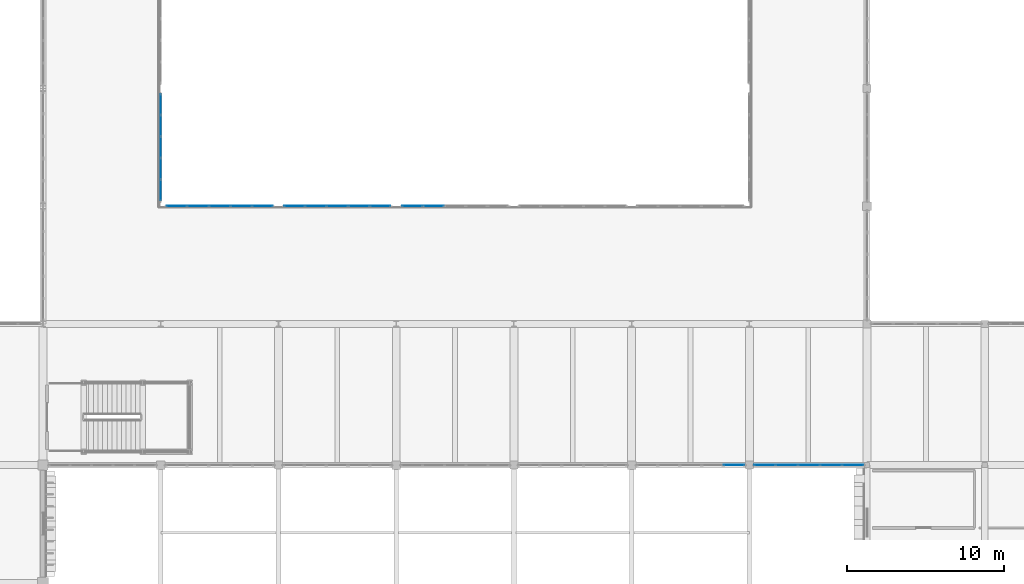
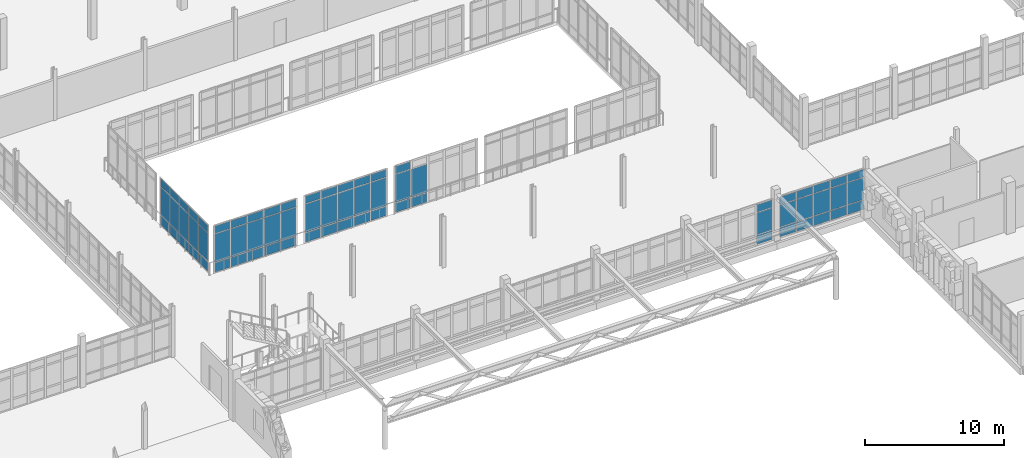
# One storey, part 77 of 128: 68 plates, 6 elements without a shape of their own.
"""IFC4 building model written with IfcOpenShell, lengths in metres."""

from ifc_helpers import new_model, si_unit, direction, frame, origin, origin_2d, place, context, subcontext, project, spatial, rectangle, extrude, material, layer, layer_set, type_object, element, aggregate, save


model = new_model("IFC4")

# Units and contexts
model_context = context("Model", 3, precision=1e-05, world=origin(), true_north=direction((0.0, 1.0)))
body_context = subcontext(model_context, "Body", "Model", "MODEL_VIEW")
ifc_project = project(units=[si_unit("LENGTHUNIT", "METRE"), si_unit("AREAUNIT", "SQUARE_METRE"), si_unit("VOLUMEUNIT", "CUBIC_METRE"), si_unit("PLANEANGLEUNIT", "RADIAN"), si_unit("MASSUNIT", "GRAM", prefix="KILO")], contexts=[model_context])

# Site, building, storey
site_placement = place(None, origin())
site = spatial("IfcSite", under=ifc_project, at=site_placement, CompositionType="ELEMENT")
building_placement = place(site_placement, origin())
building = spatial("IfcBuilding", under=site, at=building_placement, Name="Dalvernix Boulevard General Hospital", CompositionType="ELEMENT")
storey_placement = place(building_placement, frame((0.0, 0.0, 4.800048828125)))
storey = spatial("IfcBuildingStorey", under=building, at=storey_placement, Name="L01", CompositionType="ELEMENT", Elevation=4.800048828125)

# Curtain wall, plates
ifc_material_1 = material(Name="Thermally broken aluminium and solar-control glass curtain wall", Category="aluminium")
ifc_layer_1 = layer(ifc_material_1, 0.159912109375)
ifc_layer_set_1 = layer_set([ifc_layer_1], Name="Thermally broken aluminium and solar-control glass curtain wall (CW-CW-A-69x42)")
curtain_wall_type_1 = type_object("IfcCurtainWallType", Name="CW-CW-A-69x42", PredefinedType="USERDEFINED", material=ifc_layer_set_1)
curtain_wall_1_placement = place(storey_placement, origin())
curtain_wall_1 = element("IfcCurtainWall", 1, at=curtain_wall_1_placement, inside=storey, type_object=curtain_wall_type_1, Name="L01 curtain wall CW-A-69x42 9-5", ObjectType="GLAZED FACADE", PredefinedType="USERDEFINED")
ifc_material_2 = material(Name="Double-glazed solar-control low-emissivity glass", Category="glass")
ifc_layer_2 = layer(ifc_material_2, 0.02392578125)
ifc_layer_set_2 = layer_set([ifc_layer_2], Name="Double-glazed solar-control low-emissivity glass (PLT-CW-P1)")
plate_type_1 = type_object("IfcPlateType", Name="PLT-CW-P1", PredefinedType="CURTAIN_PANEL", material=ifc_layer_set_2)
plate_1_placement = place(storey_placement, frame((67.5, 45.487060546875, 0.059814453125), z_axis=(0.0, 0.0, 1.0), x_axis=(0.0, -1.0, 0.0)))
plate_1 = element("IfcPlate", 2, at=plate_1_placement, type_object=plate_type_1, Name="CW-A-69x42 panel 1.1", PredefinedType="CURTAIN_PANEL", context=body_context, shape_type="SweptSolid", body=[
    extrude(rectangle(XDim=1.285888671875, YDim=0.02392578125, at=origin_2d()), origin(), (0.0, 0.0, 1.0), 0.81005859375),
])
plate_2_placement = place(storey_placement, frame((67.5, 45.487060546875, 0.93017578125), z_axis=(0.0, 0.0, 1.0), x_axis=(0.0, -1.0, 0.0)))
plate_2 = element("IfcPlate", 3, at=plate_2_placement, type_object=plate_type_1, Name="CW-A-69x42 panel 1.2", PredefinedType="CURTAIN_PANEL", context=body_context, shape_type="SweptSolid", body=[
    extrude(rectangle(XDim=1.285888671875, YDim=0.02392578125, at=origin_2d()), origin(), (0.0, 0.0, 1.0), 2.469970703125),
])
plate_3_placement = place(storey_placement, frame((67.5, 45.487060546875, 3.4599609375), z_axis=(0.0, 0.0, 1.0), x_axis=(0.0, -1.0, 0.0)))
plate_3 = element("IfcPlate", 4, at=plate_3_placement, type_object=plate_type_1, Name="CW-A-69x42 panel 1.3", PredefinedType="CURTAIN_PANEL", context=body_context, shape_type="SweptSolid", body=[
    extrude(rectangle(XDim=1.285888671875, YDim=0.02392578125, at=origin_2d()), origin(), (0.0, 0.0, 1.0), 0.659912109375),
])
plate_4_placement = place(storey_placement, frame((67.5, 44.1259765625, 0.059814453125), z_axis=(0.0, 0.0, 1.0), x_axis=(0.0, -1.0, 0.0)))
plate_4 = element("IfcPlate", 5, at=plate_4_placement, type_object=plate_type_1, Name="CW-A-69x42 panel 2.1", PredefinedType="CURTAIN_PANEL", context=body_context, shape_type="SweptSolid", body=[
    extrude(rectangle(XDim=1.31591796875, YDim=0.02392578125, at=origin_2d()), origin(), (0.0, 0.0, 1.0), 0.81005859375),
])
plate_5_placement = place(storey_placement, frame((67.5, 44.1259765625, 0.93017578125), z_axis=(0.0, 0.0, 1.0), x_axis=(0.0, -1.0, 0.0)))
plate_5 = element("IfcPlate", 6, at=plate_5_placement, type_object=plate_type_1, Name="CW-A-69x42 panel 2.2", PredefinedType="CURTAIN_PANEL", context=body_context, shape_type="SweptSolid", body=[
    extrude(rectangle(XDim=1.31591796875, YDim=0.02392578125, at=origin_2d()), origin(), (0.0, 0.0, 1.0), 2.469970703125),
])
plate_6_placement = place(storey_placement, frame((67.5, 44.1259765625, 3.4599609375), z_axis=(0.0, 0.0, 1.0), x_axis=(0.0, -1.0, 0.0)))
plate_6 = element("IfcPlate", 7, at=plate_6_placement, type_object=plate_type_1, Name="CW-A-69x42 panel 2.3", PredefinedType="CURTAIN_PANEL", context=body_context, shape_type="SweptSolid", body=[
    extrude(rectangle(XDim=1.31591796875, YDim=0.02392578125, at=origin_2d()), origin(), (0.0, 0.0, 1.0), 0.659912109375),
])
plate_7_placement = place(storey_placement, frame((67.5, 42.75, 0.059814453125), z_axis=(0.0, 0.0, 1.0), x_axis=(0.0, -1.0, 0.0)))
plate_7 = element("IfcPlate", 8, at=plate_7_placement, type_object=plate_type_1, Name="CW-A-69x42 panel 3.1", PredefinedType="CURTAIN_PANEL", context=body_context, shape_type="SweptSolid", body=[
    extrude(rectangle(XDim=1.31591796875, YDim=0.02392578125, at=origin_2d()), origin(), (0.0, 0.0, 1.0), 0.81005859375),
])
plate_8_placement = place(storey_placement, frame((67.5, 42.75, 0.93017578125), z_axis=(0.0, 0.0, 1.0), x_axis=(0.0, -1.0, 0.0)))
plate_8 = element("IfcPlate", 9, at=plate_8_placement, type_object=plate_type_1, Name="CW-A-69x42 panel 3.2", PredefinedType="CURTAIN_PANEL", context=body_context, shape_type="SweptSolid", body=[
    extrude(rectangle(XDim=1.31591796875, YDim=0.02392578125, at=origin_2d()), origin(), (0.0, 0.0, 1.0), 2.469970703125),
])
plate_9_placement = place(storey_placement, frame((67.5, 42.75, 3.4599609375), z_axis=(0.0, 0.0, 1.0), x_axis=(0.0, -1.0, 0.0)))
plate_9 = element("IfcPlate", 10, at=plate_9_placement, type_object=plate_type_1, Name="CW-A-69x42 panel 3.3", PredefinedType="CURTAIN_PANEL", context=body_context, shape_type="SweptSolid", body=[
    extrude(rectangle(XDim=1.31591796875, YDim=0.02392578125, at=origin_2d()), origin(), (0.0, 0.0, 1.0), 0.659912109375),
])
plate_10_placement = place(storey_placement, frame((67.5, 41.3740234375, 0.059814453125), z_axis=(0.0, 0.0, 1.0), x_axis=(0.0, -1.0, 0.0)))
plate_10 = element("IfcPlate", 11, at=plate_10_placement, type_object=plate_type_1, Name="CW-A-69x42 panel 4.1", PredefinedType="CURTAIN_PANEL", context=body_context, shape_type="SweptSolid", body=[
    extrude(rectangle(XDim=1.31591796875, YDim=0.02392578125, at=origin_2d()), origin(), (0.0, 0.0, 1.0), 0.81005859375),
])
plate_11_placement = place(storey_placement, frame((67.5, 41.3740234375, 0.93017578125), z_axis=(0.0, 0.0, 1.0), x_axis=(0.0, -1.0, 0.0)))
plate_11 = element("IfcPlate", 12, at=plate_11_placement, type_object=plate_type_1, Name="CW-A-69x42 panel 4.2", PredefinedType="CURTAIN_PANEL", context=body_context, shape_type="SweptSolid", body=[
    extrude(rectangle(XDim=1.31591796875, YDim=0.02392578125, at=origin_2d()), origin(), (0.0, 0.0, 1.0), 2.469970703125),
])
plate_12_placement = place(storey_placement, frame((67.5, 41.3740234375, 3.4599609375), z_axis=(0.0, 0.0, 1.0), x_axis=(0.0, -1.0, 0.0)))
plate_12 = element("IfcPlate", 13, at=plate_12_placement, type_object=plate_type_1, Name="CW-A-69x42 panel 4.3", PredefinedType="CURTAIN_PANEL", context=body_context, shape_type="SweptSolid", body=[
    extrude(rectangle(XDim=1.31591796875, YDim=0.02392578125, at=origin_2d()), origin(), (0.0, 0.0, 1.0), 0.659912109375),
])
plate_13_placement = place(storey_placement, frame((67.5, 40.012939453125, 0.059814453125), z_axis=(0.0, 0.0, 1.0), x_axis=(0.0, -1.0, 0.0)))
plate_13 = element("IfcPlate", 14, at=plate_13_placement, type_object=plate_type_1, Name="CW-A-69x42 panel 5.1", PredefinedType="CURTAIN_PANEL", context=body_context, shape_type="SweptSolid", body=[
    extrude(rectangle(XDim=1.285888671875, YDim=0.02392578125, at=origin_2d()), origin(), (0.0, 0.0, 1.0), 0.81005859375),
])
plate_14_placement = place(storey_placement, frame((67.5, 40.012939453125, 0.93017578125), z_axis=(0.0, 0.0, 1.0), x_axis=(0.0, -1.0, 0.0)))
plate_14 = element("IfcPlate", 15, at=plate_14_placement, type_object=plate_type_1, Name="CW-A-69x42 panel 5.2", PredefinedType="CURTAIN_PANEL", context=body_context, shape_type="SweptSolid", body=[
    extrude(rectangle(XDim=1.285888671875, YDim=0.02392578125, at=origin_2d()), origin(), (0.0, 0.0, 1.0), 2.469970703125),
])
plate_15_placement = place(storey_placement, frame((67.5, 40.012939453125, 3.4599609375), z_axis=(0.0, 0.0, 1.0), x_axis=(0.0, -1.0, 0.0)))
plate_15 = element("IfcPlate", 16, at=plate_15_placement, type_object=plate_type_1, Name="CW-A-69x42 panel 5.3", PredefinedType="CURTAIN_PANEL", context=body_context, shape_type="SweptSolid", body=[
    extrude(rectangle(XDim=1.285888671875, YDim=0.02392578125, at=origin_2d()), origin(), (0.0, 0.0, 1.0), 0.659912109375),
])
aggregate(curtain_wall_1, [plate_1, plate_2, plate_3, plate_4, plate_5, plate_6, plate_7, plate_8, plate_9, plate_10, plate_11, plate_12, plate_13, plate_14, plate_15])

curtain_wall_2_placement = place(storey_placement, origin())
curtain_wall_2 = element("IfcCurtainWall", 17, at=curtain_wall_2_placement, inside=storey, type_object=curtain_wall_type_1, Name="L01 curtain wall CW-A-69x42 9-5", ObjectType="GLAZED FACADE", PredefinedType="USERDEFINED")
plate_16_placement = place(storey_placement, frame((68.512939453125, 39.0, 0.059814453125), z_axis=(0.0, 0.0, 1.0), x_axis=(1.0, 0.0, 0.0)))
plate_16 = element("IfcPlate", 18, at=plate_16_placement, type_object=plate_type_1, Name="CW-A-69x42 panel 1.1", PredefinedType="CURTAIN_PANEL", context=body_context, shape_type="SweptSolid", body=[
    extrude(rectangle(XDim=1.285888671875, YDim=0.02392578125, at=origin_2d()), origin(), (0.0, 0.0, 1.0), 0.81005859375),
])
plate_17_placement = place(storey_placement, frame((68.512939453125, 39.0, 0.93017578125), z_axis=(0.0, 0.0, 1.0), x_axis=(1.0, 0.0, 0.0)))
plate_17 = element("IfcPlate", 19, at=plate_17_placement, type_object=plate_type_1, Name="CW-A-69x42 panel 1.2", PredefinedType="CURTAIN_PANEL", context=body_context, shape_type="SweptSolid", body=[
    extrude(rectangle(XDim=1.285888671875, YDim=0.02392578125, at=origin_2d()), origin(), (0.0, 0.0, 1.0), 2.469970703125),
])
plate_18_placement = place(storey_placement, frame((68.512939453125, 39.0, 3.4599609375), z_axis=(0.0, 0.0, 1.0), x_axis=(1.0, 0.0, 0.0)))
plate_18 = element("IfcPlate", 20, at=plate_18_placement, type_object=plate_type_1, Name="CW-A-69x42 panel 1.3", PredefinedType="CURTAIN_PANEL", context=body_context, shape_type="SweptSolid", body=[
    extrude(rectangle(XDim=1.285888671875, YDim=0.02392578125, at=origin_2d()), origin(), (0.0, 0.0, 1.0), 0.659912109375),
])
plate_19_placement = place(storey_placement, frame((69.8740234375, 39.0, 0.059814453125), z_axis=(0.0, 0.0, 1.0), x_axis=(1.0, 0.0, 0.0)))
plate_19 = element("IfcPlate", 21, at=plate_19_placement, type_object=plate_type_1, Name="CW-A-69x42 panel 2.1", PredefinedType="CURTAIN_PANEL", context=body_context, shape_type="SweptSolid", body=[
    extrude(rectangle(XDim=1.31591796875, YDim=0.02392578125, at=origin_2d()), origin(), (0.0, 0.0, 1.0), 0.81005859375),
])
plate_20_placement = place(storey_placement, frame((69.8740234375, 39.0, 0.93017578125), z_axis=(0.0, 0.0, 1.0), x_axis=(1.0, 0.0, 0.0)))
plate_20 = element("IfcPlate", 22, at=plate_20_placement, type_object=plate_type_1, Name="CW-A-69x42 panel 2.2", PredefinedType="CURTAIN_PANEL", context=body_context, shape_type="SweptSolid", body=[
    extrude(rectangle(XDim=1.31591796875, YDim=0.02392578125, at=origin_2d()), origin(), (0.0, 0.0, 1.0), 2.469970703125),
])
plate_21_placement = place(storey_placement, frame((69.8740234375, 39.0, 3.4599609375), z_axis=(0.0, 0.0, 1.0), x_axis=(1.0, 0.0, 0.0)))
plate_21 = element("IfcPlate", 23, at=plate_21_placement, type_object=plate_type_1, Name="CW-A-69x42 panel 2.3", PredefinedType="CURTAIN_PANEL", context=body_context, shape_type="SweptSolid", body=[
    extrude(rectangle(XDim=1.31591796875, YDim=0.02392578125, at=origin_2d()), origin(), (0.0, 0.0, 1.0), 0.659912109375),
])
plate_22_placement = place(storey_placement, frame((71.25, 39.0, 0.059814453125), z_axis=(0.0, 0.0, 1.0), x_axis=(1.0, 0.0, 0.0)))
plate_22 = element("IfcPlate", 24, at=plate_22_placement, type_object=plate_type_1, Name="CW-A-69x42 panel 3.1", PredefinedType="CURTAIN_PANEL", context=body_context, shape_type="SweptSolid", body=[
    extrude(rectangle(XDim=1.31591796875, YDim=0.02392578125, at=origin_2d()), origin(), (0.0, 0.0, 1.0), 0.81005859375),
])
plate_23_placement = place(storey_placement, frame((71.25, 39.0, 0.93017578125), z_axis=(0.0, 0.0, 1.0), x_axis=(1.0, 0.0, 0.0)))
plate_23 = element("IfcPlate", 25, at=plate_23_placement, type_object=plate_type_1, Name="CW-A-69x42 panel 3.2", PredefinedType="CURTAIN_PANEL", context=body_context, shape_type="SweptSolid", body=[
    extrude(rectangle(XDim=1.31591796875, YDim=0.02392578125, at=origin_2d()), origin(), (0.0, 0.0, 1.0), 2.469970703125),
])
plate_24_placement = place(storey_placement, frame((71.25, 39.0, 3.4599609375), z_axis=(0.0, 0.0, 1.0), x_axis=(1.0, 0.0, 0.0)))
plate_24 = element("IfcPlate", 26, at=plate_24_placement, type_object=plate_type_1, Name="CW-A-69x42 panel 3.3", PredefinedType="CURTAIN_PANEL", context=body_context, shape_type="SweptSolid", body=[
    extrude(rectangle(XDim=1.31591796875, YDim=0.02392578125, at=origin_2d()), origin(), (0.0, 0.0, 1.0), 0.659912109375),
])
plate_25_placement = place(storey_placement, frame((72.6259765625, 39.0, 0.059814453125), z_axis=(0.0, 0.0, 1.0), x_axis=(1.0, 0.0, 0.0)))
plate_25 = element("IfcPlate", 27, at=plate_25_placement, type_object=plate_type_1, Name="CW-A-69x42 panel 4.1", PredefinedType="CURTAIN_PANEL", context=body_context, shape_type="SweptSolid", body=[
    extrude(rectangle(XDim=1.31591796875, YDim=0.02392578125, at=origin_2d()), origin(), (0.0, 0.0, 1.0), 0.81005859375),
])
plate_26_placement = place(storey_placement, frame((72.6259765625, 39.0, 0.93017578125), z_axis=(0.0, 0.0, 1.0), x_axis=(1.0, 0.0, 0.0)))
plate_26 = element("IfcPlate", 28, at=plate_26_placement, type_object=plate_type_1, Name="CW-A-69x42 panel 4.2", PredefinedType="CURTAIN_PANEL", context=body_context, shape_type="SweptSolid", body=[
    extrude(rectangle(XDim=1.31591796875, YDim=0.02392578125, at=origin_2d()), origin(), (0.0, 0.0, 1.0), 2.469970703125),
])
plate_27_placement = place(storey_placement, frame((72.6259765625, 39.0, 3.4599609375), z_axis=(0.0, 0.0, 1.0), x_axis=(1.0, 0.0, 0.0)))
plate_27 = element("IfcPlate", 29, at=plate_27_placement, type_object=plate_type_1, Name="CW-A-69x42 panel 4.3", PredefinedType="CURTAIN_PANEL", context=body_context, shape_type="SweptSolid", body=[
    extrude(rectangle(XDim=1.31591796875, YDim=0.02392578125, at=origin_2d()), origin(), (0.0, 0.0, 1.0), 0.659912109375),
])
plate_28_placement = place(storey_placement, frame((73.987060546875, 39.0, 0.059814453125), z_axis=(0.0, 0.0, 1.0), x_axis=(1.0, 0.0, 0.0)))
plate_28 = element("IfcPlate", 30, at=plate_28_placement, type_object=plate_type_1, Name="CW-A-69x42 panel 5.1", PredefinedType="CURTAIN_PANEL", context=body_context, shape_type="SweptSolid", body=[
    extrude(rectangle(XDim=1.285888671875, YDim=0.02392578125, at=origin_2d()), origin(), (0.0, 0.0, 1.0), 0.81005859375),
])
plate_29_placement = place(storey_placement, frame((73.987060546875, 39.0, 0.93017578125), z_axis=(0.0, 0.0, 1.0), x_axis=(1.0, 0.0, 0.0)))
plate_29 = element("IfcPlate", 31, at=plate_29_placement, type_object=plate_type_1, Name="CW-A-69x42 panel 5.2", PredefinedType="CURTAIN_PANEL", context=body_context, shape_type="SweptSolid", body=[
    extrude(rectangle(XDim=1.285888671875, YDim=0.02392578125, at=origin_2d()), origin(), (0.0, 0.0, 1.0), 2.469970703125),
])
plate_30_placement = place(storey_placement, frame((73.987060546875, 39.0, 3.4599609375), z_axis=(0.0, 0.0, 1.0), x_axis=(1.0, 0.0, 0.0)))
plate_30 = element("IfcPlate", 32, at=plate_30_placement, type_object=plate_type_1, Name="CW-A-69x42 panel 5.3", PredefinedType="CURTAIN_PANEL", context=body_context, shape_type="SweptSolid", body=[
    extrude(rectangle(XDim=1.285888671875, YDim=0.02392578125, at=origin_2d()), origin(), (0.0, 0.0, 1.0), 0.659912109375),
])
aggregate(curtain_wall_2, [plate_16, plate_17, plate_18, plate_19, plate_20, plate_21, plate_22, plate_23, plate_24, plate_25, plate_26, plate_27, plate_28, plate_29, plate_30])

ifc_layer_3 = layer(ifc_material_1, 0.159912109375)
ifc_layer_set_3 = layer_set([ifc_layer_3], Name="Thermally broken aluminium and solar-control glass curtain wall (CW-CW-A-71x36)")
curtain_wall_type_2 = type_object("IfcCurtainWallType", Name="CW-CW-A-71x36", PredefinedType="USERDEFINED", material=ifc_layer_set_3)
curtain_wall_3_placement = place(storey_placement, origin())
curtain_wall_3 = element("IfcCurtainWall", 33, at=curtain_wall_3_placement, inside=storey, type_object=curtain_wall_type_2, Name="L01 curtain wall CW-A-71x36 14-3", ObjectType="GLAZED FACADE", PredefinedType="USERDEFINED")
plate_31_placement = place(storey_placement, frame((111.60791015625, 22.5, 0.059814453125), z_axis=(0.0, 0.0, 1.0), x_axis=(-1.0, 0.0, 0.0)))
plate_31 = element("IfcPlate", 34, at=plate_31_placement, type_object=plate_type_1, Name="CW-A-71x36 panel 1.1", PredefinedType="CURTAIN_PANEL", context=body_context, shape_type="SweptSolid", body=[
    extrude(rectangle(XDim=1.323974609375, YDim=0.02392578125, at=origin_2d()), origin(), (0.0, 0.0, 1.0), 0.81005859375),
])
plate_32_placement = place(storey_placement, frame((111.60791015625, 22.5, 0.929931640625), z_axis=(0.0, 0.0, 1.0), x_axis=(-1.0, 0.0, 0.0)))
plate_32 = element("IfcPlate", 35, at=plate_32_placement, type_object=plate_type_1, Name="CW-A-71x36 panel 1.2", PredefinedType="CURTAIN_PANEL", context=body_context, shape_type="SweptSolid", body=[
    extrude(rectangle(XDim=1.323974609375, YDim=0.02392578125, at=origin_2d()), origin(), (0.0, 0.0, 1.0), 1.919921875),
])
plate_33_placement = place(storey_placement, frame((111.60791015625, 22.5, 2.91015625), z_axis=(0.0, 0.0, 1.0), x_axis=(-1.0, 0.0, 0.0)))
plate_33 = element("IfcPlate", 36, at=plate_33_placement, type_object=plate_type_1, Name="CW-A-71x36 panel 1.3", PredefinedType="CURTAIN_PANEL", context=body_context, shape_type="SweptSolid", body=[
    extrude(rectangle(XDim=1.323974609375, YDim=0.02392578125, at=origin_2d()), origin(), (0.0, 0.0, 1.0), 0.659912109375),
])
plate_34_placement = place(storey_placement, frame((110.208984375, 22.5, 0.059814453125), z_axis=(0.0, 0.0, 1.0), x_axis=(-1.0, 0.0, 0.0)))
plate_34 = element("IfcPlate", 37, at=plate_34_placement, type_object=plate_type_1, Name="CW-A-71x36 panel 2.1", PredefinedType="CURTAIN_PANEL", context=body_context, shape_type="SweptSolid", body=[
    extrude(rectangle(XDim=1.35400390625, YDim=0.02392578125, at=origin_2d()), origin(), (0.0, 0.0, 1.0), 0.81005859375),
])
plate_35_placement = place(storey_placement, frame((110.208984375, 22.5, 0.929931640625), z_axis=(0.0, 0.0, 1.0), x_axis=(-1.0, 0.0, 0.0)))
plate_35 = element("IfcPlate", 38, at=plate_35_placement, type_object=plate_type_1, Name="CW-A-71x36 panel 2.2", PredefinedType="CURTAIN_PANEL", context=body_context, shape_type="SweptSolid", body=[
    extrude(rectangle(XDim=1.35400390625, YDim=0.02392578125, at=origin_2d()), origin(), (0.0, 0.0, 1.0), 1.919921875),
])
plate_36_placement = place(storey_placement, frame((110.208984375, 22.5, 2.91015625), z_axis=(0.0, 0.0, 1.0), x_axis=(-1.0, 0.0, 0.0)))
plate_36 = element("IfcPlate", 39, at=plate_36_placement, type_object=plate_type_1, Name="CW-A-71x36 panel 2.3", PredefinedType="CURTAIN_PANEL", context=body_context, shape_type="SweptSolid", body=[
    extrude(rectangle(XDim=1.35400390625, YDim=0.02392578125, at=origin_2d()), origin(), (0.0, 0.0, 1.0), 0.659912109375),
])
plate_37_placement = place(storey_placement, frame((108.794921875, 22.5, 0.059814453125), z_axis=(0.0, 0.0, 1.0), x_axis=(-1.0, 0.0, 0.0)))
plate_37 = element("IfcPlate", 40, at=plate_37_placement, type_object=plate_type_1, Name="CW-A-71x36 panel 3.1", PredefinedType="CURTAIN_PANEL", context=body_context, shape_type="SweptSolid", body=[
    extrude(rectangle(XDim=1.35400390625, YDim=0.02392578125, at=origin_2d()), origin(), (0.0, 0.0, 1.0), 0.81005859375),
])
plate_38_placement = place(storey_placement, frame((108.794921875, 22.5, 0.929931640625), z_axis=(0.0, 0.0, 1.0), x_axis=(-1.0, 0.0, 0.0)))
plate_38 = element("IfcPlate", 41, at=plate_38_placement, type_object=plate_type_1, Name="CW-A-71x36 panel 3.2", PredefinedType="CURTAIN_PANEL", context=body_context, shape_type="SweptSolid", body=[
    extrude(rectangle(XDim=1.35400390625, YDim=0.02392578125, at=origin_2d()), origin(), (0.0, 0.0, 1.0), 1.919921875),
])
plate_39_placement = place(storey_placement, frame((108.794921875, 22.5, 2.91015625), z_axis=(0.0, 0.0, 1.0), x_axis=(-1.0, 0.0, 0.0)))
plate_39 = element("IfcPlate", 42, at=plate_39_placement, type_object=plate_type_1, Name="CW-A-71x36 panel 3.3", PredefinedType="CURTAIN_PANEL", context=body_context, shape_type="SweptSolid", body=[
    extrude(rectangle(XDim=1.35400390625, YDim=0.02392578125, at=origin_2d()), origin(), (0.0, 0.0, 1.0), 0.659912109375),
])
plate_40_placement = place(storey_placement, frame((107.381103515625, 22.5, 0.059814453125), z_axis=(0.0, 0.0, 1.0), x_axis=(-1.0, 0.0, 0.0)))
plate_40 = element("IfcPlate", 43, at=plate_40_placement, type_object=plate_type_1, Name="CW-A-71x36 panel 4.1", PredefinedType="CURTAIN_PANEL", context=body_context, shape_type="SweptSolid", body=[
    extrude(rectangle(XDim=1.35400390625, YDim=0.02392578125, at=origin_2d()), origin(), (0.0, 0.0, 1.0), 0.81005859375),
])
plate_41_placement = place(storey_placement, frame((107.381103515625, 22.5, 0.929931640625), z_axis=(0.0, 0.0, 1.0), x_axis=(-1.0, 0.0, 0.0)))
plate_41 = element("IfcPlate", 44, at=plate_41_placement, type_object=plate_type_1, Name="CW-A-71x36 panel 4.2", PredefinedType="CURTAIN_PANEL", context=body_context, shape_type="SweptSolid", body=[
    extrude(rectangle(XDim=1.35400390625, YDim=0.02392578125, at=origin_2d()), origin(), (0.0, 0.0, 1.0), 1.919921875),
])
plate_42_placement = place(storey_placement, frame((107.381103515625, 22.5, 2.91015625), z_axis=(0.0, 0.0, 1.0), x_axis=(-1.0, 0.0, 0.0)))
plate_42 = element("IfcPlate", 45, at=plate_42_placement, type_object=plate_type_1, Name="CW-A-71x36 panel 4.3", PredefinedType="CURTAIN_PANEL", context=body_context, shape_type="SweptSolid", body=[
    extrude(rectangle(XDim=1.35400390625, YDim=0.02392578125, at=origin_2d()), origin(), (0.0, 0.0, 1.0), 0.659912109375),
])
plate_43_placement = place(storey_placement, frame((105.98193359375, 22.5, 0.059814453125), z_axis=(0.0, 0.0, 1.0), x_axis=(-1.0, 0.0, 0.0)))
plate_43 = element("IfcPlate", 46, at=plate_43_placement, type_object=plate_type_1, Name="CW-A-71x36 panel 5.1", PredefinedType="CURTAIN_PANEL", context=body_context, shape_type="SweptSolid", body=[
    extrude(rectangle(XDim=1.323974609375, YDim=0.02392578125, at=origin_2d()), origin(), (0.0, 0.0, 1.0), 0.81005859375),
])
plate_44_placement = place(storey_placement, frame((105.98193359375, 22.5, 0.929931640625), z_axis=(0.0, 0.0, 1.0), x_axis=(-1.0, 0.0, 0.0)))
plate_44 = element("IfcPlate", 47, at=plate_44_placement, type_object=plate_type_1, Name="CW-A-71x36 panel 5.2", PredefinedType="CURTAIN_PANEL", context=body_context, shape_type="SweptSolid", body=[
    extrude(rectangle(XDim=1.323974609375, YDim=0.02392578125, at=origin_2d()), origin(), (0.0, 0.0, 1.0), 1.919921875),
])
plate_45_placement = place(storey_placement, frame((105.98193359375, 22.5, 2.91015625), z_axis=(0.0, 0.0, 1.0), x_axis=(-1.0, 0.0, 0.0)))
plate_45 = element("IfcPlate", 48, at=plate_45_placement, type_object=plate_type_1, Name="CW-A-71x36 panel 5.3", PredefinedType="CURTAIN_PANEL", context=body_context, shape_type="SweptSolid", body=[
    extrude(rectangle(XDim=1.323974609375, YDim=0.02392578125, at=origin_2d()), origin(), (0.0, 0.0, 1.0), 0.659912109375),
])
aggregate(curtain_wall_3, [plate_31, plate_32, plate_33, plate_34, plate_35, plate_36, plate_37, plate_38, plate_39, plate_40, plate_41, plate_42, plate_43, plate_44, plate_45])

ifc_layer_4 = layer(ifc_material_1, 0.179931640625)
ifc_layer_set_4 = layer_set([ifc_layer_4], Name="Thermally broken aluminium and solar-control glass curtain wall (CW-CW-B-69x42)")
curtain_wall_type_3 = type_object("IfcCurtainWallType", Name="CW-CW-B-69x42", PredefinedType="USERDEFINED", material=ifc_layer_set_4)
curtain_wall_4_placement = place(storey_placement, origin())
curtain_wall_4 = element("IfcCurtainWall", 49, at=curtain_wall_4_placement, inside=storey, type_object=curtain_wall_type_3, Name="L01 curtain wall CW-B-69x42 10-5", ObjectType="GLAZED FACADE", PredefinedType="USERDEFINED")
ifc_layer_5 = layer(ifc_material_2, 0.028076171875)
ifc_layer_set_5 = layer_set([ifc_layer_5], Name="Double-glazed solar-control low-emissivity glass (PLT-CW-P2)")
plate_type_2 = type_object("IfcPlateType", Name="PLT-CW-P2", PredefinedType="CURTAIN_PANEL", material=ifc_layer_set_5)
plate_46_placement = place(storey_placement, frame((76.01416015625, 39.0, 0.06494140625), z_axis=(0.0, 0.0, 1.0), x_axis=(1.0, 0.0, 0.0)))
plate_46 = element("IfcPlate", 50, at=plate_46_placement, type_object=plate_type_2, Name="CW-B-69x42 panel 1.1", PredefinedType="CURTAIN_PANEL", context=body_context, shape_type="SweptSolid", body=[
    extrude(rectangle(XDim=1.278564453125, YDim=0.028076171875, at=origin_2d()), origin(), (0.0, 0.0, 1.0), 0.802490234375),
])
plate_47_placement = place(storey_placement, frame((76.01416015625, 39.0, 0.9326171875), z_axis=(0.0, 0.0, 1.0), x_axis=(1.0, 0.0, 0.0)))
plate_47 = element("IfcPlate", 51, at=plate_47_placement, type_object=plate_type_2, Name="CW-B-69x42 panel 1.2", PredefinedType="CURTAIN_PANEL", context=body_context, shape_type="SweptSolid", body=[
    extrude(rectangle(XDim=1.278564453125, YDim=0.028076171875, at=origin_2d()), origin(), (0.0, 0.0, 1.0), 2.465087890625),
])
plate_48_placement = place(storey_placement, frame((76.01416015625, 39.0, 3.46240234375), z_axis=(0.0, 0.0, 1.0), x_axis=(1.0, 0.0, 0.0)))
plate_48 = element("IfcPlate", 52, at=plate_48_placement, type_object=plate_type_2, Name="CW-B-69x42 panel 1.3", PredefinedType="CURTAIN_PANEL", context=body_context, shape_type="SweptSolid", body=[
    extrude(rectangle(XDim=1.278564453125, YDim=0.028076171875, at=origin_2d()), origin(), (0.0, 0.0, 1.0), 0.652587890625),
])
plate_49_placement = place(storey_placement, frame((77.3740234375, 39.0, 0.06494140625), z_axis=(0.0, 0.0, 1.0), x_axis=(1.0, 0.0, 0.0)))
plate_49 = element("IfcPlate", 53, at=plate_49_placement, type_object=plate_type_2, Name="CW-B-69x42 panel 2.1", PredefinedType="CURTAIN_PANEL", context=body_context, shape_type="SweptSolid", body=[
    extrude(rectangle(XDim=1.31103515625, YDim=0.028076171875, at=origin_2d()), origin(), (0.0, 0.0, 1.0), 0.802490234375),
])
plate_50_placement = place(storey_placement, frame((77.3740234375, 39.0, 0.9326171875), z_axis=(0.0, 0.0, 1.0), x_axis=(1.0, 0.0, 0.0)))
plate_50 = element("IfcPlate", 54, at=plate_50_placement, type_object=plate_type_2, Name="CW-B-69x42 panel 2.2", PredefinedType="CURTAIN_PANEL", context=body_context, shape_type="SweptSolid", body=[
    extrude(rectangle(XDim=1.31103515625, YDim=0.028076171875, at=origin_2d()), origin(), (0.0, 0.0, 1.0), 2.465087890625),
])
plate_51_placement = place(storey_placement, frame((77.3740234375, 39.0, 3.46240234375), z_axis=(0.0, 0.0, 1.0), x_axis=(1.0, 0.0, 0.0)))
plate_51 = element("IfcPlate", 55, at=plate_51_placement, type_object=plate_type_2, Name="CW-B-69x42 panel 2.3", PredefinedType="CURTAIN_PANEL", context=body_context, shape_type="SweptSolid", body=[
    extrude(rectangle(XDim=1.31103515625, YDim=0.028076171875, at=origin_2d()), origin(), (0.0, 0.0, 1.0), 0.652587890625),
])
plate_52_placement = place(storey_placement, frame((78.75, 39.0, 0.06494140625), z_axis=(0.0, 0.0, 1.0), x_axis=(1.0, 0.0, 0.0)))
plate_52 = element("IfcPlate", 56, at=plate_52_placement, type_object=plate_type_2, Name="CW-B-69x42 panel 3.1", PredefinedType="CURTAIN_PANEL", context=body_context, shape_type="SweptSolid", body=[
    extrude(rectangle(XDim=1.31103515625, YDim=0.028076171875, at=origin_2d()), origin(), (0.0, 0.0, 1.0), 0.802490234375),
])
plate_53_placement = place(storey_placement, frame((78.75, 39.0, 0.9326171875), z_axis=(0.0, 0.0, 1.0), x_axis=(1.0, 0.0, 0.0)))
plate_53 = element("IfcPlate", 57, at=plate_53_placement, type_object=plate_type_2, Name="CW-B-69x42 panel 3.2", PredefinedType="CURTAIN_PANEL", context=body_context, shape_type="SweptSolid", body=[
    extrude(rectangle(XDim=1.31103515625, YDim=0.028076171875, at=origin_2d()), origin(), (0.0, 0.0, 1.0), 2.465087890625),
])
plate_54_placement = place(storey_placement, frame((78.75, 39.0, 3.46240234375), z_axis=(0.0, 0.0, 1.0), x_axis=(1.0, 0.0, 0.0)))
plate_54 = element("IfcPlate", 58, at=plate_54_placement, type_object=plate_type_2, Name="CW-B-69x42 panel 3.3", PredefinedType="CURTAIN_PANEL", context=body_context, shape_type="SweptSolid", body=[
    extrude(rectangle(XDim=1.31103515625, YDim=0.028076171875, at=origin_2d()), origin(), (0.0, 0.0, 1.0), 0.652587890625),
])
plate_55_placement = place(storey_placement, frame((80.1259765625, 39.0, 0.06494140625), z_axis=(0.0, 0.0, 1.0), x_axis=(1.0, 0.0, 0.0)))
plate_55 = element("IfcPlate", 59, at=plate_55_placement, type_object=plate_type_2, Name="CW-B-69x42 panel 4.1", PredefinedType="CURTAIN_PANEL", context=body_context, shape_type="SweptSolid", body=[
    extrude(rectangle(XDim=1.31103515625, YDim=0.028076171875, at=origin_2d()), origin(), (0.0, 0.0, 1.0), 0.802490234375),
])
plate_56_placement = place(storey_placement, frame((80.1259765625, 39.0, 0.9326171875), z_axis=(0.0, 0.0, 1.0), x_axis=(1.0, 0.0, 0.0)))
plate_56 = element("IfcPlate", 60, at=plate_56_placement, type_object=plate_type_2, Name="CW-B-69x42 panel 4.2", PredefinedType="CURTAIN_PANEL", context=body_context, shape_type="SweptSolid", body=[
    extrude(rectangle(XDim=1.31103515625, YDim=0.028076171875, at=origin_2d()), origin(), (0.0, 0.0, 1.0), 2.465087890625),
])
plate_57_placement = place(storey_placement, frame((80.1259765625, 39.0, 3.46240234375), z_axis=(0.0, 0.0, 1.0), x_axis=(1.0, 0.0, 0.0)))
plate_57 = element("IfcPlate", 61, at=plate_57_placement, type_object=plate_type_2, Name="CW-B-69x42 panel 4.3", PredefinedType="CURTAIN_PANEL", context=body_context, shape_type="SweptSolid", body=[
    extrude(rectangle(XDim=1.31103515625, YDim=0.028076171875, at=origin_2d()), origin(), (0.0, 0.0, 1.0), 0.652587890625),
])
plate_58_placement = place(storey_placement, frame((81.48583984375, 39.0, 0.06494140625), z_axis=(0.0, 0.0, 1.0), x_axis=(1.0, 0.0, 0.0)))
plate_58 = element("IfcPlate", 62, at=plate_58_placement, type_object=plate_type_2, Name="CW-B-69x42 panel 5.1", PredefinedType="CURTAIN_PANEL", context=body_context, shape_type="SweptSolid", body=[
    extrude(rectangle(XDim=1.278564453125, YDim=0.028076171875, at=origin_2d()), origin(), (0.0, 0.0, 1.0), 0.802490234375),
])
plate_59_placement = place(storey_placement, frame((81.48583984375, 39.0, 0.9326171875), z_axis=(0.0, 0.0, 1.0), x_axis=(1.0, 0.0, 0.0)))
plate_59 = element("IfcPlate", 63, at=plate_59_placement, type_object=plate_type_2, Name="CW-B-69x42 panel 5.2", PredefinedType="CURTAIN_PANEL", context=body_context, shape_type="SweptSolid", body=[
    extrude(rectangle(XDim=1.278564453125, YDim=0.028076171875, at=origin_2d()), origin(), (0.0, 0.0, 1.0), 2.465087890625),
])
plate_60_placement = place(storey_placement, frame((81.48583984375, 39.0, 3.46240234375), z_axis=(0.0, 0.0, 1.0), x_axis=(1.0, 0.0, 0.0)))
plate_60 = element("IfcPlate", 64, at=plate_60_placement, type_object=plate_type_2, Name="CW-B-69x42 panel 5.3", PredefinedType="CURTAIN_PANEL", context=body_context, shape_type="SweptSolid", body=[
    extrude(rectangle(XDim=1.278564453125, YDim=0.028076171875, at=origin_2d()), origin(), (0.0, 0.0, 1.0), 0.652587890625),
])
aggregate(curtain_wall_4, [plate_46, plate_47, plate_48, plate_49, plate_50, plate_51, plate_52, plate_53, plate_54, plate_55, plate_56, plate_57, plate_58, plate_59, plate_60])

ifc_layer_6 = layer(ifc_material_1, 0.199951171875)
ifc_layer_set_6 = layer_set([ifc_layer_6], Name="Thermally broken aluminium and solar-control glass curtain wall (CW-CW-C-69x42)")
curtain_wall_type_4 = type_object("IfcCurtainWallType", Name="CW-CW-C-69x42", PredefinedType="USERDEFINED", material=ifc_layer_set_6)
curtain_wall_5_placement = place(storey_placement, origin())
curtain_wall_5 = element("IfcCurtainWall", 65, at=curtain_wall_5_placement, inside=storey, type_object=curtain_wall_type_4, Name="L01 curtain wall CW-C-69x42 11-5", ObjectType="GLAZED FACADE", PredefinedType="USERDEFINED")
ifc_layer_7 = layer(ifc_material_2, 0.035888671875)
ifc_layer_set_7 = layer_set([ifc_layer_7], Name="Double-glazed solar-control low-emissivity glass (PLT-CW-P3)")
plate_type_3 = type_object("IfcPlateType", Name="PLT-CW-P3", PredefinedType="CURTAIN_PANEL", material=ifc_layer_set_7)
plate_61_placement = place(storey_placement, frame((83.515380859375, 39.0, 0.070068359375), z_axis=(0.0, 0.0, 1.0), x_axis=(1.0, 0.0, 0.0)))
plate_61 = element("IfcPlate", 66, at=plate_61_placement, type_object=plate_type_3, Name="CW-C-69x42 panel 1.1", PredefinedType="CURTAIN_PANEL", context=body_context, shape_type="SweptSolid", body=[
    extrude(rectangle(XDim=1.27099609375, YDim=0.035888671875, at=origin_2d()), origin(), (0.0, 0.0, 1.0), 0.794921875),
])
plate_62_placement = place(storey_placement, frame((83.515380859375, 39.0, 0.93505859375), z_axis=(0.0, 0.0, 1.0), x_axis=(1.0, 0.0, 0.0)))
plate_62 = element("IfcPlate", 67, at=plate_62_placement, type_object=plate_type_3, Name="CW-C-69x42 panel 1.2", PredefinedType="CURTAIN_PANEL", context=body_context, shape_type="SweptSolid", body=[
    extrude(rectangle(XDim=1.27099609375, YDim=0.035888671875, at=origin_2d()), origin(), (0.0, 0.0, 1.0), 2.4599609375),
])
plate_63_placement = place(storey_placement, frame((83.515380859375, 39.0, 3.46484375), z_axis=(0.0, 0.0, 1.0), x_axis=(1.0, 0.0, 0.0)))
plate_63 = element("IfcPlate", 68, at=plate_63_placement, type_object=plate_type_3, Name="CW-C-69x42 panel 1.3", PredefinedType="CURTAIN_PANEL", context=body_context, shape_type="SweptSolid", body=[
    extrude(rectangle(XDim=1.27099609375, YDim=0.035888671875, at=origin_2d()), origin(), (0.0, 0.0, 1.0), 0.64501953125),
])
plate_64_placement = place(storey_placement, frame((84.8740234375, 39.0, 0.070068359375), z_axis=(0.0, 0.0, 1.0), x_axis=(1.0, 0.0, 0.0)))
plate_64 = element("IfcPlate", 69, at=plate_64_placement, type_object=plate_type_3, Name="CW-C-69x42 panel 2.1", PredefinedType="CURTAIN_PANEL", context=body_context, shape_type="SweptSolid", body=[
    extrude(rectangle(XDim=1.305908203125, YDim=0.035888671875, at=origin_2d()), origin(), (0.0, 0.0, 1.0), 0.794921875),
])
plate_65_placement = place(storey_placement, frame((84.8740234375, 39.0, 0.93505859375), z_axis=(0.0, 0.0, 1.0), x_axis=(1.0, 0.0, 0.0)))
plate_65 = element("IfcPlate", 70, at=plate_65_placement, type_object=plate_type_3, Name="CW-C-69x42 panel 2.2", PredefinedType="CURTAIN_PANEL", context=body_context, shape_type="SweptSolid", body=[
    extrude(rectangle(XDim=1.305908203125, YDim=0.035888671875, at=origin_2d()), origin(), (0.0, 0.0, 1.0), 2.4599609375),
])
aggregate(curtain_wall_5, [plate_61, plate_62, plate_63, plate_64, plate_65])

ifc_layer_8 = layer(ifc_material_1, 0.199951171875)
ifc_layer_set_8 = layer_set([ifc_layer_8], Name="Thermally broken aluminium and solar-control glass curtain wall (CW-CW-C-70x36)")
curtain_wall_type_5 = type_object("IfcCurtainWallType", Name="CW-CW-C-70x36", PredefinedType="USERDEFINED", material=ifc_layer_set_8)
curtain_wall_6_placement = place(storey_placement, origin())
curtain_wall_6 = element("IfcCurtainWall", 71, at=curtain_wall_6_placement, inside=storey, type_object=curtain_wall_type_5, Name="L01 curtain wall CW-C-70x36 13-3", ObjectType="GLAZED FACADE", PredefinedType="USERDEFINED")
plate_66_placement = place(storey_placement, frame((104.027099609375, 22.5, 0.070068359375), z_axis=(0.0, 0.0, 1.0), x_axis=(-1.0, 0.0, 0.0)))
plate_66 = element("IfcPlate", 72, at=plate_66_placement, type_object=plate_type_3, Name="CW-C-70x36 panel 1.1", PredefinedType="CURTAIN_PANEL", context=body_context, shape_type="SweptSolid", body=[
    extrude(rectangle(XDim=1.285888671875, YDim=0.035888671875, at=origin_2d()), origin(), (0.0, 0.0, 1.0), 0.794921875),
])
plate_67_placement = place(storey_placement, frame((104.027099609375, 22.5, 0.93505859375), z_axis=(0.0, 0.0, 1.0), x_axis=(-1.0, 0.0, 0.0)))
plate_67 = element("IfcPlate", 73, at=plate_67_placement, type_object=plate_type_3, Name="CW-C-70x36 panel 1.2", PredefinedType="CURTAIN_PANEL", context=body_context, shape_type="SweptSolid", body=[
    extrude(rectangle(XDim=1.285888671875, YDim=0.035888671875, at=origin_2d()), origin(), (0.0, 0.0, 1.0), 1.909912109375),
])
plate_68_placement = place(storey_placement, frame((104.027099609375, 22.5, 2.9150390625), z_axis=(0.0, 0.0, 1.0), x_axis=(-1.0, 0.0, 0.0)))
plate_68 = element("IfcPlate", 74, at=plate_68_placement, type_object=plate_type_3, Name="CW-C-70x36 panel 1.3", PredefinedType="CURTAIN_PANEL", context=body_context, shape_type="SweptSolid", body=[
    extrude(rectangle(XDim=1.285888671875, YDim=0.035888671875, at=origin_2d()), origin(), (0.0, 0.0, 1.0), 0.64501953125),
])
aggregate(curtain_wall_6, [plate_66, plate_67, plate_68])

save(model, "model.ifc")
